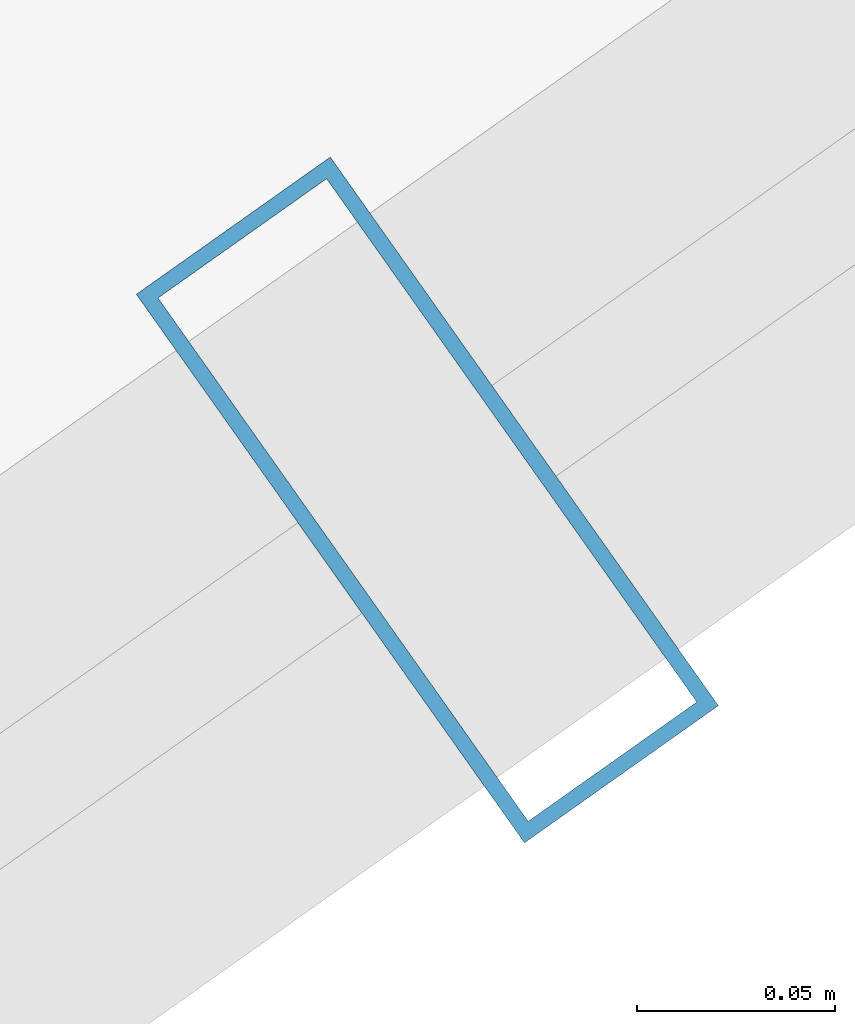
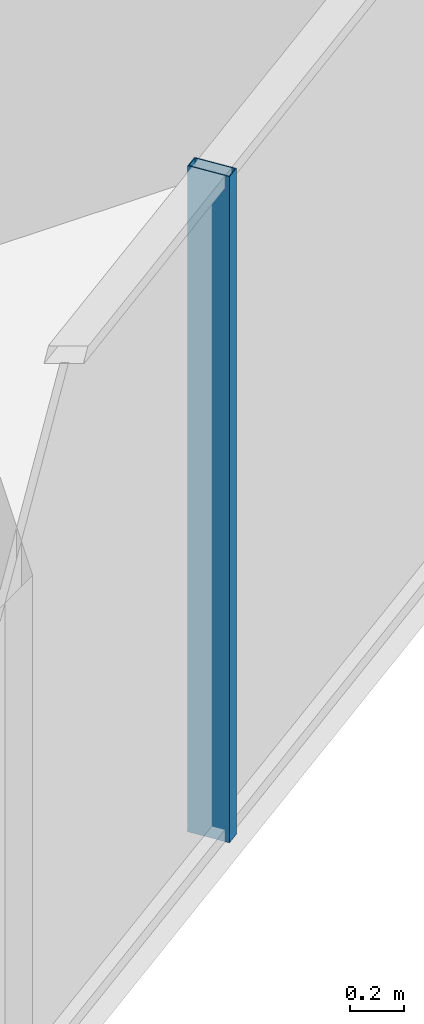
# One storey, part 7 of 33: 1 member, 1 element without a shape of its own.
"""IFC4 building model written with IfcOpenShell, lengths in metres."""

from ifc_helpers import new_model, si_unit, direction, frame, origin, origin_2d, place, context, subcontext, project, spatial, hollow_rectangle, extrude, source, transform, mapped, material, layer, layer_set, material_profile, profile_set, type_object, element, aggregate, save


model = new_model("IFC4")

# Units and contexts
model_context = context("Model", 3, precision=1e-05, world=origin(), true_north=direction((0.0, 1.0)))
body_context = subcontext(model_context, "Body", "Model", "MODEL_VIEW")
ifc_project = project(units=[si_unit("LENGTHUNIT", "METRE"), si_unit("AREAUNIT", "SQUARE_METRE"), si_unit("VOLUMEUNIT", "CUBIC_METRE"), si_unit("PLANEANGLEUNIT", "RADIAN"), si_unit("MASSUNIT", "GRAM", prefix="KILO")], contexts=[model_context])

# Site, building, storey
site_placement = place(None, origin())
site = spatial("IfcSite", under=ifc_project, at=site_placement, CompositionType="ELEMENT")
building_placement = place(site_placement, origin())
building = spatial("IfcBuilding", under=site, at=building_placement, Name="Veraguas Prism Commons", CompositionType="ELEMENT")
storey_placement = place(building_placement, frame((0.0, 0.0, 145.75)))
storey = spatial("IfcBuildingStorey", under=building, at=storey_placement, Name="L41", CompositionType="ELEMENT", Elevation=145.75)

# Curtain wall, member
ifc_material = material(Name="Anodised aluminium EN AW-6063 T6", Category="aluminium")
ifc_layer = layer(ifc_material, 0.169921875, Name="Unitised Flush Curtain Wall Zone 2", Category="aluminium")
ifc_layer_set = layer_set([ifc_layer], Name="Anodised aluminium EN AW-6063 T6")
curtain_wall_type = type_object("IfcCurtainWallType", Name="Unitised Flush Curtain Wall Zone 2", PredefinedType="NOTDEFINED", material=ifc_layer_set)
curtain_wall_placement = place(storey_placement, origin())
curtain_wall = element("IfcCurtainWall", 1, at=curtain_wall_placement, inside=storey, type_object=curtain_wall_type, Name="Tower Facade Curtain Wall L41-F5", PredefinedType="NOTDEFINED")
ifc_material_profile = material_profile(ifc_material, hollow_rectangle(XDim=0.06005859375, YDim=0.169921875, WallThickness=0.00390625, at=origin_2d()), Name="AL60X170X4")
ifc_profile_set = profile_set([ifc_material_profile], Name="Anodised aluminium EN AW-6063 T6")
member_type = type_object("IfcMemberType", Name="Curtain Wall Mullion Lower AL 60x170x4", PredefinedType="MULLION", material=ifc_profile_set)
shared_shape = source(origin(), body_context, "Body", "SweptSolid", [
    extrude(hollow_rectangle(XDim=0.06005859375, YDim=0.169921875, WallThickness=0.00390625, at=origin_2d()), origin(), (0.0, 0.0, 1.0), 3.0),
])
member_placement = place(storey_placement, frame((35.079345703125, 8.340576171875, 0.0), z_axis=(0.0, 0.0, 1.0), x_axis=(0.81634227487, 0.577568429072, 0.0)))
member = element("IfcMember", 2, at=member_placement, type_object=member_type, Name="CW-Z2 Mullion 3", PredefinedType="MULLION", context=body_context, shape_type="MappedRepresentation", body=[
    mapped(shared_shape, transform((0.0, 0.0, 0.0), scale=1.0)),
])
aggregate(curtain_wall, [member])

save(model, "model.ifc")
